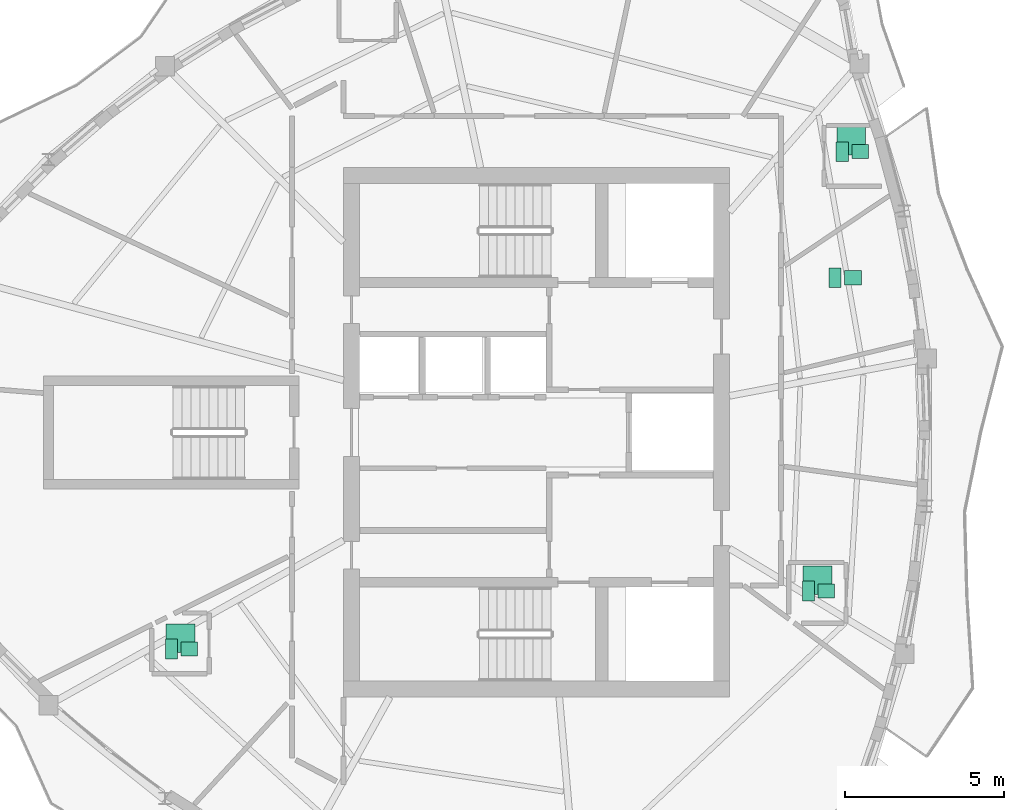
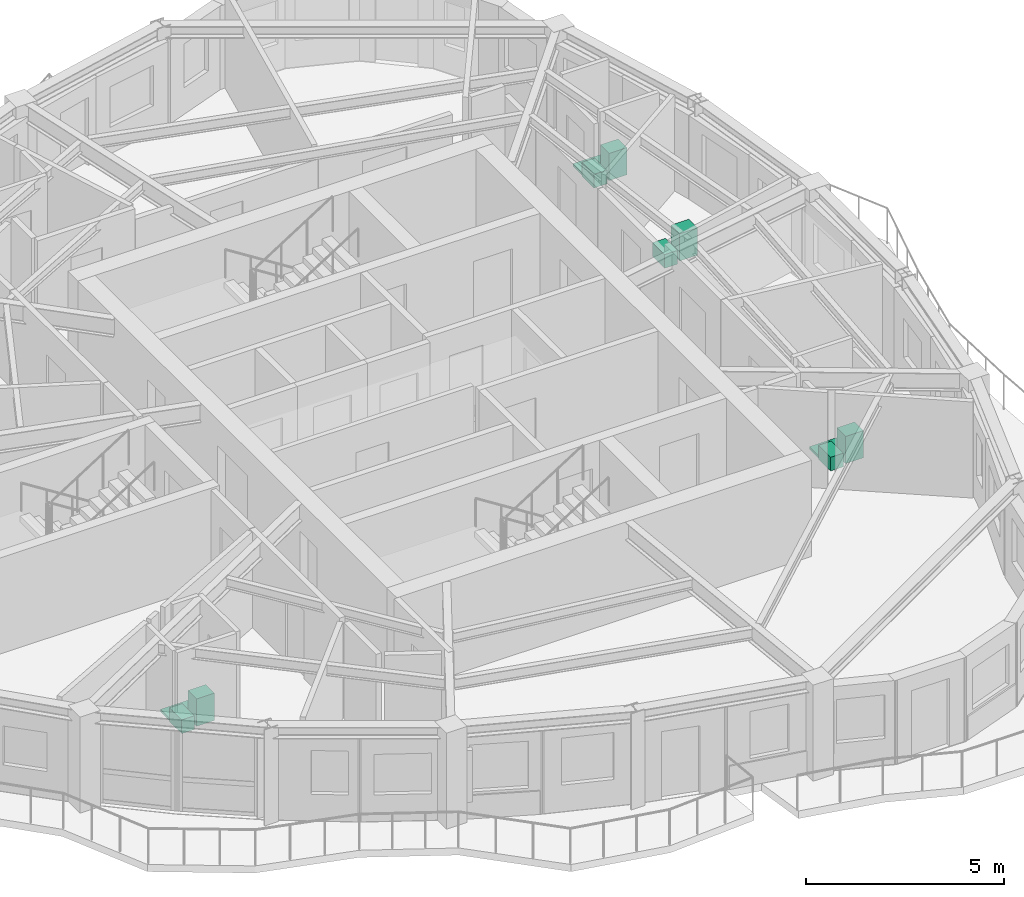
# One storey, part 13 of 13: 11 sanitary terminals.
"""IFC4 building model written with IfcOpenShell, lengths in metres."""

import ifcopenshell
import ifcopenshell.guid

model = None  # the IFC model being written
_history = None  # IfcOwnerHistory: only IFC2X3 demands one
_inside = {}  # id of a spatial element -> (the spatial element, [elements in it])
_under = {}  # id of a project, library or spatial element -> (it, [spatial elements below it])
_declared = {}  # id of a project -> (the project, [libraries it declares])
_typed = {}  # id of a type object -> (the type object, [elements of that type])
_made_of = {}  # id of a material, layer set ... -> (it, [elements and type objects made of it])


def new_model(schema):
    """Start an empty IFC model of exactly this schema.

    Asked for "IFC4X3", IfcOpenShell would pick the latest addendum, in which some entities
    have other attributes; the version numbers below select the first issue.
    IFC2X3 requires an IfcOwnerHistory on every rooted entity: one is made here for all.
    """
    global model, _history
    if schema == "IFC4X3":
        model = ifcopenshell.file(schema_version=(4, 3, 0, 0))
    else:
        model = ifcopenshell.file(schema=schema)
    _inside.clear()
    _under.clear()
    _declared.clear()
    _typed.clear()
    _made_of.clear()
    _history = None
    if model.schema == "IFC2X3":
        org = make("IfcOrganization", Name="unknown")
        user = make(
            "IfcPersonAndOrganization",
            ThePerson=make("IfcPerson", FamilyName="unknown"),
            TheOrganization=org,
        )
        app = make(
            "IfcApplication",
            ApplicationDeveloper=org,
            Version="unknown",
            ApplicationFullName="unknown",
            ApplicationIdentifier="unknown",
        )
        _history = make(
            "IfcOwnerHistory",
            OwningUser=user,
            OwningApplication=app,
            ChangeAction="ADDED",
            CreationDate=0,
        )
    return model


def make(cls, **values):
    """One entity of the class cls with the attributes given. An attribute that is None is left unset."""
    return model.create_entity(
        cls, **{name: value for name, value in values.items() if value is not None}
    )


def rooted(cls, **values):
    """An entity with a GlobalId (a new one), such as an element, a storey or a relation."""
    return make(cls, GlobalId=ifcopenshell.guid.new(), OwnerHistory=_history, **values)


def si_unit(unit_type, name, prefix=None):
    """IfcSIUnit, for example si_unit("LENGTHUNIT", "METRE", prefix="MILLI")."""
    return make("IfcSIUnit", UnitType=unit_type, Prefix=prefix, Name=name)


def assignment(units):
    """IfcUnitAssignment: the units of a project."""
    return None if units is None else make("IfcUnitAssignment", Units=units)


def point(xyz):
    """IfcCartesianPoint."""
    return None if xyz is None else make("IfcCartesianPoint", Coordinates=xyz)


def direction(xyz):
    """IfcDirection."""
    return None if xyz is None else make("IfcDirection", DirectionRatios=xyz)


def frame(location, z_axis=None, x_axis=None):
    """IfcAxis2Placement3D, a coordinate frame: its origin and axes. An axis left out is left unset."""
    return make(
        "IfcAxis2Placement3D",
        Location=point(location),
        Axis=direction(z_axis),
        RefDirection=direction(x_axis),
    )


def frame_2d(location, x_axis=None):
    """IfcAxis2Placement2D, a coordinate frame in the plane: its origin and x axis."""
    return make(
        "IfcAxis2Placement2D", Location=point(location), RefDirection=direction(x_axis)
    )


def origin():
    """The frame at (0, 0, 0) with its axes left unset."""
    return frame((0.0, 0.0, 0.0))


def origin_2d():
    """The frame at (0, 0) in the plane with its x axis left unset."""
    return frame_2d((0.0, 0.0))


def place(relative_to, where):
    """IfcLocalPlacement: puts the frame where relative to a parent placement (None: the world)."""
    return make(
        "IfcLocalPlacement", PlacementRelTo=relative_to, RelativePlacement=where
    )


def context(
    kind, dimensions, precision=None, world=None, true_north=None, identifier=None
):
    """IfcGeometricRepresentationContext, for example the 3D "Model" context."""
    return make(
        "IfcGeometricRepresentationContext",
        ContextIdentifier=identifier,
        ContextType=kind,
        CoordinateSpaceDimension=dimensions,
        Precision=precision,
        WorldCoordinateSystem=world,
        TrueNorth=true_north,
    )


def subcontext(parent, identifier, kind, view, scale=None):
    """IfcGeometricRepresentationSubContext, for example "Body" below "Model"."""
    return make(
        "IfcGeometricRepresentationSubContext",
        ContextIdentifier=identifier,
        ContextType=kind,
        ParentContext=parent,
        TargetScale=scale,
        TargetView=view,
    )


def project(units=None, contexts=None):
    """IfcProject with its units and contexts."""
    return rooted(
        "IfcProject",
        Name="project",
        RepresentationContexts=contexts,
        UnitsInContext=assignment(units),
    )


def spatial(cls, under=None, at=None, **own):
    """A site, building, storey or space (cls), placed at a placement, below another one or the project."""
    s = rooted(cls, ObjectPlacement=at, **own)
    if under is not None:
        _under.setdefault(under.id(), (under, []))[1].append(s)
    return s


def profile(cls, at=None, kind="AREA", **sizes):
    """A parametric profile (cls). Its sizes go by their IFC names, for example OverallWidth=200.0."""
    return make(cls, ProfileType=kind, Position=at, **sizes)


def rectangle(**sizes):
    """IfcRectangleProfileDef."""
    return profile("IfcRectangleProfileDef", **sizes)


def extrude(swept, where, along, depth):
    """IfcExtrudedAreaSolid: the profile swept, set in the frame where, extruded along a direction by depth."""
    return make(
        "IfcExtrudedAreaSolid",
        SweptArea=swept,
        Position=where,
        ExtrudedDirection=direction(along),
        Depth=depth,
    )


def shape(context_of_items, identifier, shape_type, items):
    """IfcShapeRepresentation: the items that make up one representation, for example the "Body"."""
    return make(
        "IfcShapeRepresentation",
        ContextOfItems=context_of_items,
        RepresentationIdentifier=identifier,
        RepresentationType=shape_type,
        Items=items,
    )


def source(mapping_origin, context_of_items, identifier, shape_type, items):
    """IfcRepresentationMap: a shape defined once, which mapped items show again and again."""
    return make(
        "IfcRepresentationMap",
        MappingOrigin=mapping_origin,
        MappedRepresentation=shape(context_of_items, identifier, shape_type, items),
    )


def transform(
    local_origin,
    x_axis=None,
    y_axis=None,
    z_axis=None,
    scale=None,
    scale2=None,
    scale3=None,
    uniform=True,
):
    """IfcCartesianTransformationOperator3D, or its non-uniform kind. x_axis, y_axis, z_axis: its Axis1, 2, 3."""
    if uniform:
        return make(
            "IfcCartesianTransformationOperator3D",
            Axis1=direction(x_axis),
            Axis2=direction(y_axis),
            LocalOrigin=point(local_origin),
            Scale=scale,
            Axis3=direction(z_axis),
        )
    return make(
        "IfcCartesianTransformationOperator3DnonUniform",
        Axis1=direction(x_axis),
        Axis2=direction(y_axis),
        LocalOrigin=point(local_origin),
        Scale=scale,
        Axis3=direction(z_axis),
        Scale2=scale2,
        Scale3=scale3,
    )


def mapped(mapping_source, mapping_target):
    """IfcMappedItem: shows the shape of a source again, moved by a transform."""
    return make(
        "IfcMappedItem", MappingSource=mapping_source, MappingTarget=mapping_target
    )


def material(Name=None, Category=None):
    """IfcMaterial."""
    return make("IfcMaterial", Name=Name, Category=Category)


def made_of(thing, what):
    """Note that an element or type object is made of a material, layer set ...; save() writes the relation."""
    if what is not None:
        _made_of.setdefault(what.id(), (what, []))[1].append(thing)
    return thing


def type_object(cls, material=None, **own):
    """A type object (cls), such as IfcWallType, which elements share."""
    return made_of(rooted(cls, **own), material)


def element(
    cls,
    number,
    at=None,
    inside=None,
    cuts=None,
    type_object=None,
    material=None,
    context=None,
    identifier="Body",
    shape_type=None,
    held_by="IfcProductDefinitionShape",
    body=None,
    shapes=None,
    **own,
):
    """One element of the class cls, such as IfcWall. Its Tag is "e" and its number.

    at: its placement. inside: the storey or other place that contains it. cuts: it is an
    opening in that element (IfcRelVoidsElement). A single representation is given by context,
    identifier, shape_type and body (its items); several are given by shapes. held_by: the class
    of the entity that holds the representations. save() writes the other relations.
    """
    e = rooted(cls, Tag="e%d" % number, ObjectPlacement=at, **own)
    if body is not None:
        shapes = [shape(context, identifier, shape_type, body)]
    if shapes is not None:
        e.Representation = make(held_by, Representations=shapes)
    if inside is not None:
        _inside.setdefault(inside.id(), (inside, []))[1].append(e)
    if cuts is not None:
        rooted(
            "IfcRelVoidsElement", RelatingBuildingElement=cuts, RelatedOpeningElement=e
        )
    if type_object is not None:
        _typed.setdefault(type_object.id(), (type_object, []))[1].append(e)
    return made_of(e, material)


def aggregate(whole, parts):
    """IfcRelAggregates: a whole, such as a stair, and the parts it consists of."""
    return rooted("IfcRelAggregates", RelatingObject=whole, RelatedObjects=parts)


def save(model, path):
    """Write the relations noted so far, then the file.

    IfcRelAggregates (storeys below a building ...), IfcRelContainedInSpatialStructure (elements
    in a storey), IfcRelDefinesByType, IfcRelAssociatesMaterial and IfcRelDeclares: one each for
    every whole, place, type object, material and project.
    """
    for whole, parts in _under.values():
        aggregate(whole, parts)
    for where, things in _inside.values():
        rooted(
            "IfcRelContainedInSpatialStructure",
            RelatedElements=things,
            RelatingStructure=where,
        )
    for kind, things in _typed.values():
        rooted("IfcRelDefinesByType", RelatedObjects=things, RelatingType=kind)
    for what, things in _made_of.values():
        rooted("IfcRelAssociatesMaterial", RelatedObjects=things, RelatingMaterial=what)
    for by, libraries in _declared.values():
        rooted("IfcRelDeclares", RelatingContext=by, RelatedDefinitions=libraries)
    model.write(path)


model = new_model("IFC4")

# Units and contexts
model_context = context("Model", 3, precision=1e-05, world=origin(), true_north=direction((0.0, 1.0)))
body_context = subcontext(model_context, "Body", "Model", "MODEL_VIEW")
ifc_project = project(units=[si_unit("LENGTHUNIT", "METRE"), si_unit("AREAUNIT", "SQUARE_METRE"), si_unit("VOLUMEUNIT", "CUBIC_METRE"), si_unit("PLANEANGLEUNIT", "RADIAN"), si_unit("MASSUNIT", "GRAM", prefix="KILO")], contexts=[model_context])

# Site, building, storey
site_placement = place(None, origin())
site = spatial("IfcSite", under=ifc_project, at=site_placement, CompositionType="ELEMENT")
building_placement = place(site_placement, origin())
building = spatial("IfcBuilding", under=site, at=building_placement, Name="Qafzar Sky-Pleat Residences", CompositionType="ELEMENT")
storey_placement = place(building_placement, frame((0.0, 0.0, 195.60009765625)))
storey = spatial("IfcBuildingStorey", under=building, at=storey_placement, Name="L58", CompositionType="ELEMENT", Elevation=195.60009765625)

# Sanitary terminals
ifc_material_1 = material(Name="Vitreous china sanitaryware")
sanitary_terminal_type_1 = type_object("IfcSanitaryTerminalType", Name="SAN-WC-PAN", PredefinedType="TOILETPAN", material=ifc_material_1)
shared_shape_1 = source(origin(), body_context, "Body", "SweptSolid", [
    extrude(rectangle(XDim=0.3798828125, YDim=0.6201171875, at=origin_2d()), origin(), (0.0, 0.0, 1.0), 0.419921875),
])
for number, where, z_axis, x_axis, name in (
    (1, (18.907958984375, 19.20751953125, 0.0), (0.0, 0.0, 1.0), (1.0, 0.0, 0.0), "L58 En-suite Bathroom 1 WC Pan"),
    (2, (38.8798828125, 21.025146484375, 0.0), (0.0, 0.0, 1.0), (1.0, 0.0, 0.0), "L58 En-suite Bathroom 2 WC Pan"),
    (3, (39.714111328125, 30.8486328125, 0.0), (0.0, 0.0, 1.0), (1.0, 0.0, 0.0), "L58 Accessible Shared Washroom WC Pan"),
    (4, (39.93701171875, 34.801513671875, 0.0), (0.0, 0.0, 1.0), (1.0, 0.0, 0.0), "L58 En-suite Bathroom 3 WC Pan"),
):
    element("IfcSanitaryTerminal", number, at=place(storey_placement, frame(where, z_axis=z_axis, x_axis=x_axis)), inside=storey, type_object=sanitary_terminal_type_1, Name=name, PredefinedType="TOILETPAN", context=body_context, shape_type="MappedRepresentation", body=[
        mapped(shared_shape_1, transform((0.0, 0.0, 0.0), x_axis=(1.0, 0.0, 0.0), y_axis=(0.0, 1.0, 0.0), z_axis=(0.0, 0.0, 1.0), scale=1.0)),
    ])
sanitary_terminal_type_2 = type_object("IfcSanitaryTerminalType", Name="SAN-BASIN", PredefinedType="WASHHANDBASIN", material=ifc_material_1)
shared_shape_2 = source(origin(), body_context, "Body", "SweptSolid", [
    extrude(rectangle(XDim=0.52001953125, YDim=0.43994140625, at=origin_2d()), origin(), (0.0, 0.0, 1.0), 0.840087890625),
])
for number, where, z_axis, x_axis, name in (
    (5, (19.468017578125, 19.20751953125, 0.0), (0.0, 0.0, 1.0), (1.0, 0.0, 0.0), "L58 En-suite Bathroom 1 Pedestal Washbasin"),
    (6, (39.43994140625, 21.025146484375, 0.0), (0.0, 0.0, 1.0), (1.0, 0.0, 0.0), "L58 En-suite Bathroom 2 Pedestal Washbasin"),
    (7, (40.274169921875, 30.8486328125, 0.0), (0.0, 0.0, 1.0), (1.0, 0.0, 0.0), "L58 Accessible Shared Washroom Pedestal Washbasin"),
    (8, (40.4970703125, 34.801513671875, 0.0), (0.0, 0.0, 1.0), (1.0, 0.0, 0.0), "L58 En-suite Bathroom 3 Pedestal Washbasin"),
):
    element("IfcSanitaryTerminal", number, at=place(storey_placement, frame(where, z_axis=z_axis, x_axis=x_axis)), inside=storey, type_object=sanitary_terminal_type_2, Name=name, PredefinedType="WASHHANDBASIN", context=body_context, shape_type="MappedRepresentation", body=[
        mapped(shared_shape_2, transform((0.0, 0.0, 0.0), x_axis=(1.0, 0.0, 0.0), y_axis=(0.0, 1.0, 0.0), z_axis=(0.0, 0.0, 1.0), scale=1.0)),
    ])
ifc_material_2 = material(Name="Vitreous china and acrylic tray")
sanitary_terminal_type_3 = type_object("IfcSanitaryTerminalType", Name="SAN-SHOWER", PredefinedType="SHOWER", material=ifc_material_2)
shared_shape_3 = source(origin(), body_context, "Body", "SweptSolid", [
    extrude(rectangle(XDim=0.89990234375, YDim=0.89990234375, at=origin_2d()), origin(), (0.0, 0.0, 1.0), 0.080078125),
])
for number, where, z_axis, x_axis, name in (
    (9, (19.18798828125, 19.54736328125, -0.000244140625), (0.0, 0.0, 1.0), (1.0, 0.0, 0.0), "L58 En-suite Bathroom 1 Walk-In Shower"),
    (10, (39.159912109375, 21.364990234375, -0.000244140625), (0.0, 0.0, 1.0), (1.0, 0.0, 0.0), "L58 En-suite Bathroom 2 Walk-In Shower"),
    (11, (40.217041015625, 35.1416015625, -0.000244140625), (0.0, 0.0, 1.0), (1.0, 0.0, 0.0), "L58 En-suite Bathroom 3 Walk-In Shower"),
):
    element("IfcSanitaryTerminal", number, at=place(storey_placement, frame(where, z_axis=z_axis, x_axis=x_axis)), inside=storey, type_object=sanitary_terminal_type_3, Name=name, PredefinedType="SHOWER", context=body_context, shape_type="MappedRepresentation", body=[
        mapped(shared_shape_3, transform((0.0, 0.0, 0.0), x_axis=(1.0, 0.0, 0.0), y_axis=(0.0, 1.0, 0.0), z_axis=(0.0, 0.0, 1.0), scale=1.0)),
    ])

save(model, "model.ifc")
